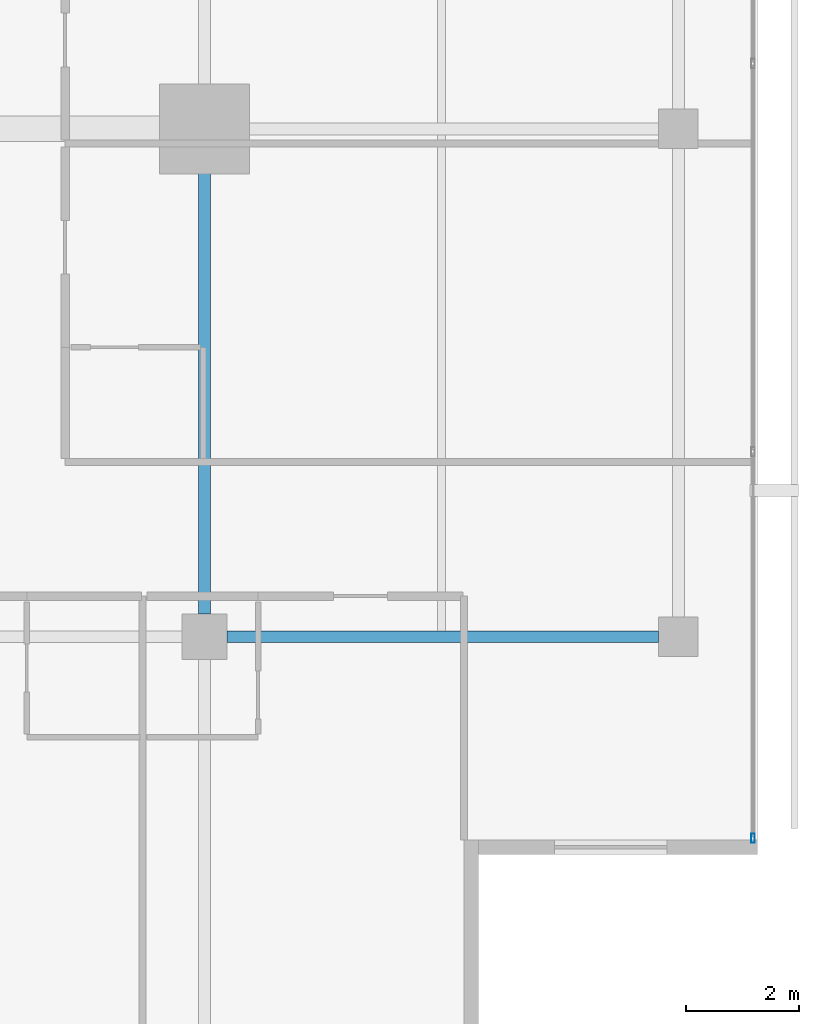
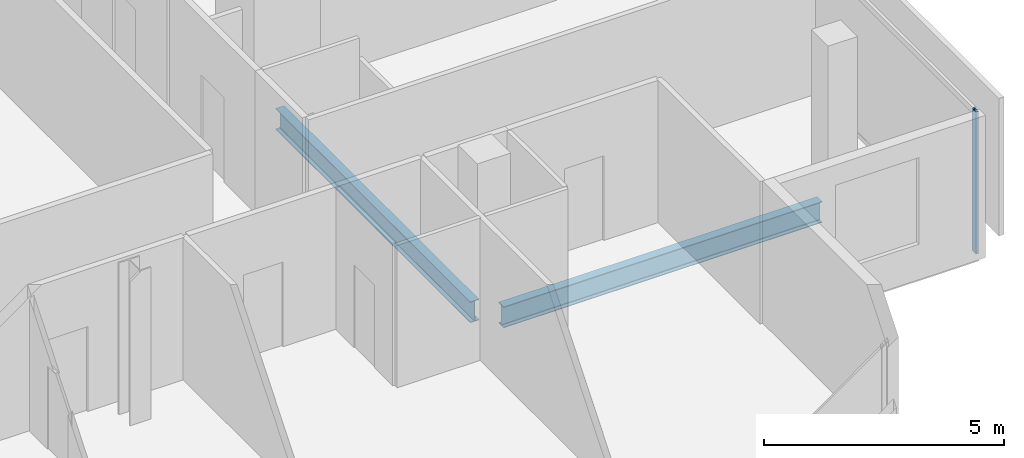
# One storey, part 11 of 26: 2 beams, 1 member, 1 element without a shape of its own.
"""IFC4 building model written with IfcOpenShell, lengths in metres."""

import ifcopenshell
import ifcopenshell.guid

model = None  # the IFC model being written
_history = None  # IfcOwnerHistory: only IFC2X3 demands one
_inside = {}  # id of a spatial element -> (the spatial element, [elements in it])
_under = {}  # id of a project, library or spatial element -> (it, [spatial elements below it])
_declared = {}  # id of a project -> (the project, [libraries it declares])
_typed = {}  # id of a type object -> (the type object, [elements of that type])
_made_of = {}  # id of a material, layer set ... -> (it, [elements and type objects made of it])


def new_model(schema):
    """Start an empty IFC model of exactly this schema.

    Asked for "IFC4X3", IfcOpenShell would pick the latest addendum, in which some entities
    have other attributes; the version numbers below select the first issue.
    IFC2X3 requires an IfcOwnerHistory on every rooted entity: one is made here for all.
    """
    global model, _history
    if schema == "IFC4X3":
        model = ifcopenshell.file(schema_version=(4, 3, 0, 0))
    else:
        model = ifcopenshell.file(schema=schema)
    _inside.clear()
    _under.clear()
    _declared.clear()
    _typed.clear()
    _made_of.clear()
    _history = None
    if model.schema == "IFC2X3":
        org = make("IfcOrganization", Name="unknown")
        user = make(
            "IfcPersonAndOrganization",
            ThePerson=make("IfcPerson", FamilyName="unknown"),
            TheOrganization=org,
        )
        app = make(
            "IfcApplication",
            ApplicationDeveloper=org,
            Version="unknown",
            ApplicationFullName="unknown",
            ApplicationIdentifier="unknown",
        )
        _history = make(
            "IfcOwnerHistory",
            OwningUser=user,
            OwningApplication=app,
            ChangeAction="ADDED",
            CreationDate=0,
        )
    return model


def make(cls, **values):
    """One entity of the class cls with the attributes given. An attribute that is None is left unset."""
    return model.create_entity(
        cls, **{name: value for name, value in values.items() if value is not None}
    )


def rooted(cls, **values):
    """An entity with a GlobalId (a new one), such as an element, a storey or a relation."""
    return make(cls, GlobalId=ifcopenshell.guid.new(), OwnerHistory=_history, **values)


def si_unit(unit_type, name, prefix=None):
    """IfcSIUnit, for example si_unit("LENGTHUNIT", "METRE", prefix="MILLI")."""
    return make("IfcSIUnit", UnitType=unit_type, Prefix=prefix, Name=name)


def assignment(units):
    """IfcUnitAssignment: the units of a project."""
    return None if units is None else make("IfcUnitAssignment", Units=units)


def point(xyz):
    """IfcCartesianPoint."""
    return None if xyz is None else make("IfcCartesianPoint", Coordinates=xyz)


def direction(xyz):
    """IfcDirection."""
    return None if xyz is None else make("IfcDirection", DirectionRatios=xyz)


def frame(location, z_axis=None, x_axis=None):
    """IfcAxis2Placement3D, a coordinate frame: its origin and axes. An axis left out is left unset."""
    return make(
        "IfcAxis2Placement3D",
        Location=point(location),
        Axis=direction(z_axis),
        RefDirection=direction(x_axis),
    )


def frame_2d(location, x_axis=None):
    """IfcAxis2Placement2D, a coordinate frame in the plane: its origin and x axis."""
    return make(
        "IfcAxis2Placement2D", Location=point(location), RefDirection=direction(x_axis)
    )


def origin():
    """The frame at (0, 0, 0) with its axes left unset."""
    return frame((0.0, 0.0, 0.0))


def origin_2d():
    """The frame at (0, 0) in the plane with its x axis left unset."""
    return frame_2d((0.0, 0.0))


def place(relative_to, where):
    """IfcLocalPlacement: puts the frame where relative to a parent placement (None: the world)."""
    return make(
        "IfcLocalPlacement", PlacementRelTo=relative_to, RelativePlacement=where
    )


def context(
    kind, dimensions, precision=None, world=None, true_north=None, identifier=None
):
    """IfcGeometricRepresentationContext, for example the 3D "Model" context."""
    return make(
        "IfcGeometricRepresentationContext",
        ContextIdentifier=identifier,
        ContextType=kind,
        CoordinateSpaceDimension=dimensions,
        Precision=precision,
        WorldCoordinateSystem=world,
        TrueNorth=true_north,
    )


def subcontext(parent, identifier, kind, view, scale=None):
    """IfcGeometricRepresentationSubContext, for example "Body" below "Model"."""
    return make(
        "IfcGeometricRepresentationSubContext",
        ContextIdentifier=identifier,
        ContextType=kind,
        ParentContext=parent,
        TargetScale=scale,
        TargetView=view,
    )


def project(units=None, contexts=None):
    """IfcProject with its units and contexts."""
    return rooted(
        "IfcProject",
        Name="project",
        RepresentationContexts=contexts,
        UnitsInContext=assignment(units),
    )


def spatial(cls, under=None, at=None, **own):
    """A site, building, storey or space (cls), placed at a placement, below another one or the project."""
    s = rooted(cls, ObjectPlacement=at, **own)
    if under is not None:
        _under.setdefault(under.id(), (under, []))[1].append(s)
    return s


def profile(cls, at=None, kind="AREA", **sizes):
    """A parametric profile (cls). Its sizes go by their IFC names, for example OverallWidth=200.0."""
    return make(cls, ProfileType=kind, Position=at, **sizes)


def hollow_rectangle(**sizes):
    """IfcRectangleHollowProfileDef."""
    return profile("IfcRectangleHollowProfileDef", **sizes)


def i_section(**sizes):
    """IfcIShapeProfileDef."""
    return profile("IfcIShapeProfileDef", **sizes)


def extrude(swept, where, along, depth):
    """IfcExtrudedAreaSolid: the profile swept, set in the frame where, extruded along a direction by depth."""
    return make(
        "IfcExtrudedAreaSolid",
        SweptArea=swept,
        Position=where,
        ExtrudedDirection=direction(along),
        Depth=depth,
    )


def shape(context_of_items, identifier, shape_type, items):
    """IfcShapeRepresentation: the items that make up one representation, for example the "Body"."""
    return make(
        "IfcShapeRepresentation",
        ContextOfItems=context_of_items,
        RepresentationIdentifier=identifier,
        RepresentationType=shape_type,
        Items=items,
    )


def material(Name=None, Category=None):
    """IfcMaterial."""
    return make("IfcMaterial", Name=Name, Category=Category)


def layer(
    of_material, thickness, ventilated=None, Name=None, Category=None, Priority=None
):
    """IfcMaterialLayer: one layer of a wall or slab, of a material (None: an air gap)."""
    return make(
        "IfcMaterialLayer",
        Material=of_material,
        LayerThickness=thickness,
        IsVentilated=ventilated,
        Name=Name,
        Category=Category,
        Priority=Priority,
    )


def layer_set(layers, Name=None):
    """IfcMaterialLayerSet."""
    return make("IfcMaterialLayerSet", MaterialLayers=layers, LayerSetName=Name)


def material_profile(
    of_material, cross_section, Name=None, Category=None, Priority=None
):
    """IfcMaterialProfile: a cross section and its material."""
    return make(
        "IfcMaterialProfile",
        Name=Name,
        Material=of_material,
        Profile=cross_section,
        Priority=Priority,
        Category=Category,
    )


def profile_set(profiles, Name=None, composite=None):
    """IfcMaterialProfileSet."""
    return make(
        "IfcMaterialProfileSet",
        Name=Name,
        MaterialProfiles=profiles,
        CompositeProfile=composite,
    )


def made_of(thing, what):
    """Note that an element or type object is made of a material, layer set ...; save() writes the relation."""
    if what is not None:
        _made_of.setdefault(what.id(), (what, []))[1].append(thing)
    return thing


def type_object(cls, material=None, **own):
    """A type object (cls), such as IfcWallType, which elements share."""
    return made_of(rooted(cls, **own), material)


def element(
    cls,
    number,
    at=None,
    inside=None,
    cuts=None,
    type_object=None,
    material=None,
    context=None,
    identifier="Body",
    shape_type=None,
    held_by="IfcProductDefinitionShape",
    body=None,
    shapes=None,
    **own,
):
    """One element of the class cls, such as IfcWall. Its Tag is "e" and its number.

    at: its placement. inside: the storey or other place that contains it. cuts: it is an
    opening in that element (IfcRelVoidsElement). A single representation is given by context,
    identifier, shape_type and body (its items); several are given by shapes. held_by: the class
    of the entity that holds the representations. save() writes the other relations.
    """
    e = rooted(cls, Tag="e%d" % number, ObjectPlacement=at, **own)
    if body is not None:
        shapes = [shape(context, identifier, shape_type, body)]
    if shapes is not None:
        e.Representation = make(held_by, Representations=shapes)
    if inside is not None:
        _inside.setdefault(inside.id(), (inside, []))[1].append(e)
    if cuts is not None:
        rooted(
            "IfcRelVoidsElement", RelatingBuildingElement=cuts, RelatedOpeningElement=e
        )
    if type_object is not None:
        _typed.setdefault(type_object.id(), (type_object, []))[1].append(e)
    return made_of(e, material)


def aggregate(whole, parts):
    """IfcRelAggregates: a whole, such as a stair, and the parts it consists of."""
    return rooted("IfcRelAggregates", RelatingObject=whole, RelatedObjects=parts)


def save(model, path):
    """Write the relations noted so far, then the file.

    IfcRelAggregates (storeys below a building ...), IfcRelContainedInSpatialStructure (elements
    in a storey), IfcRelDefinesByType, IfcRelAssociatesMaterial and IfcRelDeclares: one each for
    every whole, place, type object, material and project.
    """
    for whole, parts in _under.values():
        aggregate(whole, parts)
    for where, things in _inside.values():
        rooted(
            "IfcRelContainedInSpatialStructure",
            RelatedElements=things,
            RelatingStructure=where,
        )
    for kind, things in _typed.values():
        rooted("IfcRelDefinesByType", RelatedObjects=things, RelatingType=kind)
    for what, things in _made_of.values():
        rooted("IfcRelAssociatesMaterial", RelatedObjects=things, RelatingMaterial=what)
    for by, libraries in _declared.values():
        rooted("IfcRelDeclares", RelatingContext=by, RelatedDefinitions=libraries)
    model.write(path)


model = new_model("IFC4")

# Units and contexts
model_context = context("Model", 3, precision=1e-05, world=origin(), true_north=direction((0.0, 1.0)))
body_context = subcontext(model_context, "Body", "Model", "MODEL_VIEW")
ifc_project = project(units=[si_unit("LENGTHUNIT", "METRE"), si_unit("AREAUNIT", "SQUARE_METRE"), si_unit("VOLUMEUNIT", "CUBIC_METRE"), si_unit("PLANEANGLEUNIT", "RADIAN"), si_unit("MASSUNIT", "GRAM", prefix="KILO")], contexts=[model_context])

# Site, building, storey
site_placement = place(None, origin())
site = spatial("IfcSite", under=ifc_project, at=site_placement, CompositionType="ELEMENT")
building_placement = place(site_placement, origin())
building = spatial("IfcBuilding", under=site, at=building_placement, Name="Maruvema Waterfront Hotel and Observation Tower", CompositionType="ELEMENT")
storey_placement = place(building_placement, frame((0.0, 0.0, 243.25)))
storey = spatial("IfcBuildingStorey", under=building, at=storey_placement, Name="L59", CompositionType="ELEMENT", Elevation=243.25)

# Curtain wall, member
ifc_material_1 = material(Name="Anodised bronze aluminium and solar-control low-E IGU", Category="aluminium")
ifc_layer = layer(ifc_material_1, 0.159912109375, Name="Zone 3 Champagne Inner Thermal Curtain Wall System CW-04")
ifc_layer_set = layer_set([ifc_layer], Name="Anodised bronze aluminium and solar-control low-E IGU")
curtain_wall_type = type_object("IfcCurtainWallType", Name="Zone 3 Champagne Inner Thermal Curtain Wall System CW-04", PredefinedType="USERDEFINED", material=ifc_layer_set)
curtain_wall_placement = place(storey_placement, origin())
curtain_wall = element("IfcCurtainWall", 1, at=curtain_wall_placement, inside=storey, type_object=curtain_wall_type, Name="L59 Curtain Wall CW-L59-E", ObjectType="UNITISED CURTAIN WALL", PredefinedType="USERDEFINED")
ifc_material_2 = material(Name="Anodised architectural bronze aluminium", Category="aluminium")
ifc_material_profile_1 = material_profile(ifc_material_2, hollow_rectangle(XDim=0.06494140625, YDim=0.1650390625, WallThickness=0.00390625, at=origin_2d()), Name="ALU-M65x165")
ifc_profile_set_1 = profile_set([ifc_material_profile_1], Name="Anodised architectural bronze aluminium")
member_type = type_object("IfcMemberType", Name="Curtain Wall Primary Mullion ALU-M65x165", PredefinedType="MULLION", material=ifc_profile_set_1)
member_placement = place(storey_placement, frame((60.1201171875, 14.429931640625, 0.0), z_axis=(0.0, 0.0, 1.0), x_axis=(-1.0, 0.0, 0.0)))
member = element("IfcMember", 2, at=member_placement, type_object=member_type, Name="CW-04 mullion 1", PredefinedType="MULLION", context=body_context, shape_type="SweptSolid", body=[
    extrude(hollow_rectangle(XDim=0.06494140625, YDim=0.1650390625, WallThickness=0.00390625, at=origin_2d()), origin(), (0.0, 0.0, 1.0), 3.610107421875),
])
aggregate(curtain_wall, [member])

# Beams
ifc_material_3 = material(Name="Steel ASTM A572 Grade 50", Category="steel")
ifc_material_profile_2 = material_profile(ifc_material_3, i_section(OverallWidth=0.208984375, OverallDepth=0.532958984375, WebThickness=0.01025390625, FlangeThickness=0.015625, FilletRadius=0.014892578125, at=origin_2d()), Name="W530x92.0")
ifc_profile_set_2 = profile_set([ifc_material_profile_2], Name="Steel ASTM A572 Grade 50")
beam_type = type_object("IfcBeamType", Name="Primary Floor Girder W530x92.0", PredefinedType="BEAM", material=ifc_profile_set_2)
beam_1_placement = place(storey_placement, frame((50.800048828125, 18.0, -0.506591796875), z_axis=(1.0, 0.0, 0.0), x_axis=(0.0, 1.0, 0.0)))
element("IfcBeam", 3, at=beam_1_placement, inside=storey, type_object=beam_type, Name="L59 Floor Girder EW-08", PredefinedType="BEAM", context=body_context, shape_type="SweptSolid", body=[
    extrude(i_section(OverallWidth=0.208984375, OverallDepth=0.532958984375, WebThickness=0.01025390625, FlangeThickness=0.015625, FilletRadius=0.014892578125, at=origin_2d()), origin(), (0.0, 0.0, 1.0), 7.64990234375),
])
beam_2_placement = place(storey_placement, frame((50.39990234375, 18.39990234375, -0.506591796875), z_axis=(0.0, 1.0, 0.0), x_axis=(-1.0, 0.0, 0.0)))
element("IfcBeam", 4, at=beam_2_placement, inside=storey, type_object=beam_type, Name="L59 Floor Girder NS-13", PredefinedType="BEAM", context=body_context, shape_type="SweptSolid", body=[
    extrude(i_section(OverallWidth=0.208984375, OverallDepth=0.532958984375, WebThickness=0.01025390625, FlangeThickness=0.015625, FilletRadius=0.014892578125, at=origin_2d()), origin(), (0.0, 0.0, 1.0), 8.10009765625),
])

save(model, "model.ifc")
